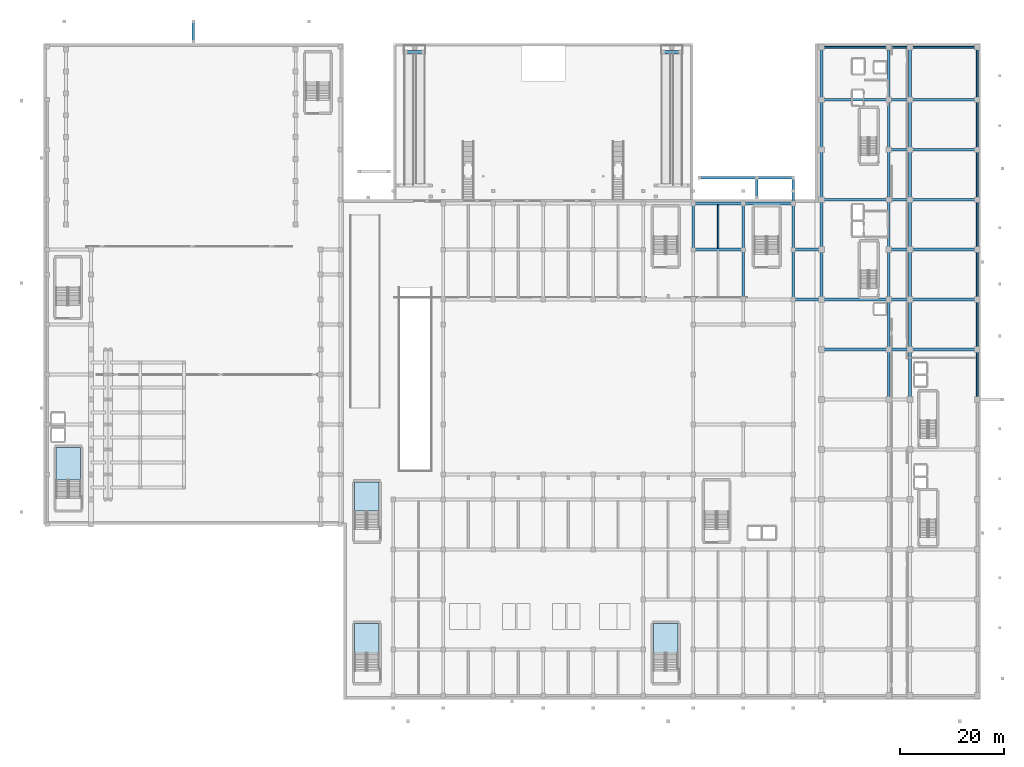
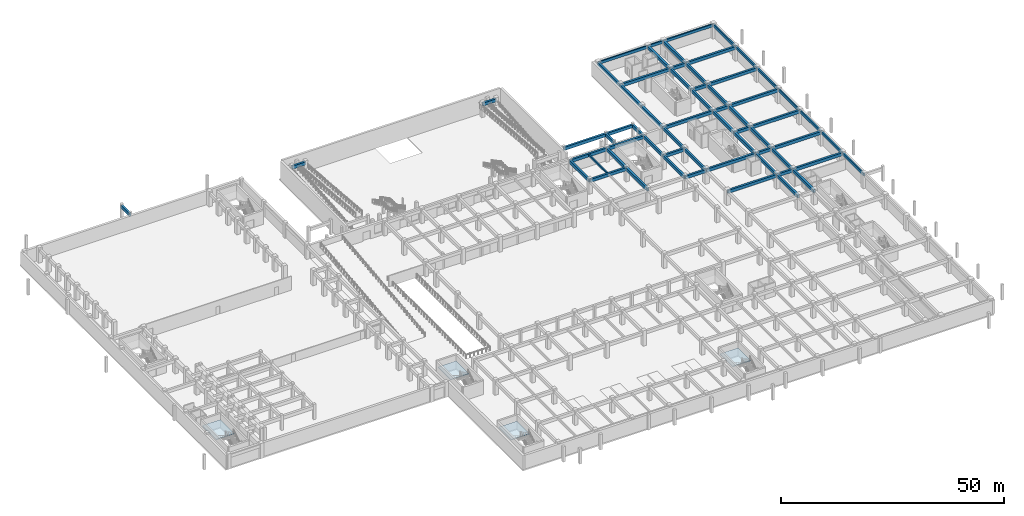
# One storey, part 8 of 39: 63 beams, 4 slabs, 4 elements without a shape of their own.
"""IFC4 building model written with IfcOpenShell, lengths in metres."""

from ifc_helpers import new_model, si_unit, direction, frame, origin, origin_2d, place, context, subcontext, project, spatial, polyline, rectangle, outline, extrude, material, layer, layer_set, material_profile, profile_set, type_object, element, aggregate, save


model = new_model("IFC4")

# Units and contexts
model_context = context("Model", 3, precision=1e-05, world=origin(), true_north=direction((0.0, 1.0)))
body_context = subcontext(model_context, "Body", "Model", "MODEL_VIEW")
ifc_project = project(units=[si_unit("LENGTHUNIT", "METRE"), si_unit("AREAUNIT", "SQUARE_METRE"), si_unit("VOLUMEUNIT", "CUBIC_METRE"), si_unit("PLANEANGLEUNIT", "RADIAN"), si_unit("MASSUNIT", "GRAM", prefix="KILO")], contexts=[model_context])

# Site, building, storey
site_placement = place(None, origin())
site = spatial("IfcSite", under=ifc_project, at=site_placement, CompositionType="ELEMENT")
building_placement = place(site_placement, origin())
building = spatial("IfcBuilding", under=site, at=building_placement, Name="Nakhvara Creek Congress Hotel", CompositionType="ELEMENT")
storey_placement = place(building_placement, frame((0.0, 0.0, -4.199951171875)))
storey = spatial("IfcBuildingStorey", under=building, at=storey_placement, Name="B1", CompositionType="ELEMENT", Elevation=-4.199951171875)

# Beams
ifc_material_1 = material(Name="Concrete C40/50", Category="concrete")
ifc_material_profile_1 = material_profile(ifc_material_1, rectangle(XDim=0.300048828125, YDim=0.5, at=origin_2d()), Name="RC-BM 300x500", Category="LoadBearing")
ifc_profile_set_1 = profile_set([ifc_material_profile_1], Name="Concrete C40/50")
beam_type_1 = type_object("IfcBeamType", Name="BM-JST-300X500", PredefinedType="JOIST", material=ifc_profile_set_1)
beam_1_placement = place(storey_placement, frame((129.60009765625, 86.659912109375, 3.530029296875), z_axis=(0.0, 1.0, 0.0), x_axis=(-1.0, 0.0, 0.0)))
element("IfcBeam", 1, at=beam_1_placement, inside=storey, type_object=beam_type_1, Name="Secondary Joist BJ1-B1-0717", PredefinedType="JOIST", context=body_context, shape_type="SweptSolid", body=[
    extrude(rectangle(XDim=0.300048828125, YDim=0.5, at=origin_2d()), origin(), (0.0, 0.0, 1.0), 8.330078125),
])
ifc_material_2 = material(Name="Concrete C50/60", Category="concrete")
ifc_material_profile_2 = material_profile(ifc_material_2, rectangle(XDim=0.52001953125, YDim=0.840087890625, at=origin_2d()), Name="RC-BM 520x840", Category="LoadBearing")
ifc_profile_set_2 = profile_set([ifc_material_profile_2], Name="Concrete C50/60")
beam_type_2 = type_object("IfcBeamType", Name="BM-RC-520X840", PredefinedType="BEAM", material=ifc_profile_set_2)
beam_2_placement = place(storey_placement, frame((124.800048828125, 86.39990234375, 3.35986328125), z_axis=(0.0, 1.0, 0.0), x_axis=(-1.0, 0.0, 0.0)))
element("IfcBeam", 2, at=beam_2_placement, inside=storey, type_object=beam_type_2, Name="Beam B14-B1-0553", PredefinedType="BEAM", context=body_context, shape_type="SweptSolid", body=[
    extrude(rectangle(XDim=0.52001953125, YDim=0.840087890625, at=origin_2d()), origin(), (0.0, 0.0, 1.0), 8.85009765625),
])
for number, where, z_axis, x_axis, name in (
    (3, (124.800048828125, 86.39990234375, 3.35986328125), (1.0, 0.0, 0.0), (0.0, 1.0, 0.0), "Beam B14-B1-0554"),
    (4, (124.800048828125, 95.25, 3.35986328125), (1.0, 0.0, 0.0), (0.0, 1.0, 0.0), "Beam B14-B1-0555"),
    (5, (134.39990234375, 76.800048828125, 3.35986328125), (0.0, 1.0, 0.0), (-1.0, 0.0, 0.0), "Beam B14-B1-0568"),
):
    element("IfcBeam", number, at=place(storey_placement, frame(where, z_axis=z_axis, x_axis=x_axis)), inside=storey, type_object=beam_type_2, Name=name, PredefinedType="BEAM", context=body_context, shape_type="SweptSolid", body=[
        extrude(rectangle(XDim=0.52001953125, YDim=0.840087890625, at=origin_2d()), origin(), (0.0, 0.0, 1.0), 9.599853515625),
    ])
beam_3_placement = place(storey_placement, frame((134.39990234375, 86.39990234375, 3.35986328125), z_axis=(0.0, 1.0, 0.0), x_axis=(-1.0, 0.0, 0.0)))
element("IfcBeam", 6, at=beam_3_placement, inside=storey, type_object=beam_type_2, Name="Beam B14-B1-0570", PredefinedType="BEAM", context=body_context, shape_type="SweptSolid", body=[
    extrude(rectangle(XDim=0.52001953125, YDim=0.840087890625, at=origin_2d()), origin(), (0.0, 0.0, 1.0), 8.85009765625),
])
beam_4_placement = place(storey_placement, frame((134.39990234375, 95.25, 3.35986328125), z_axis=(1.0, 0.0, 0.0), x_axis=(0.0, 1.0, 0.0)))
element("IfcBeam", 7, at=beam_4_placement, inside=storey, type_object=beam_type_2, Name="Beam B14-B1-0571", PredefinedType="BEAM", context=body_context, shape_type="SweptSolid", body=[
    extrude(rectangle(XDim=0.52001953125, YDim=0.840087890625, at=origin_2d()), origin(), (0.0, 0.0, 1.0), 9.60009765625),
])
beam_5_placement = place(storey_placement, frame((144.0, 76.800048828125, 3.35986328125), z_axis=(0.0, 1.0, 0.0), x_axis=(-1.0, 0.0, 0.0)))
element("IfcBeam", 8, at=beam_5_placement, inside=storey, type_object=beam_type_2, Name="Beam B14-B1-0586", PredefinedType="BEAM", context=body_context, shape_type="SweptSolid", body=[
    extrude(rectangle(XDim=0.52001953125, YDim=0.840087890625, at=origin_2d()), origin(), (0.0, 0.0, 1.0), 9.599853515625),
])
beam_6_placement = place(storey_placement, frame((144.0, 76.800048828125, 3.35986328125), z_axis=(1.0, 0.0, 0.0), x_axis=(0.0, 1.0, 0.0)))
element("IfcBeam", 9, at=beam_6_placement, inside=storey, type_object=beam_type_2, Name="Beam B14-B1-0587", PredefinedType="BEAM", context=body_context, shape_type="SweptSolid", body=[
    extrude(rectangle(XDim=0.52001953125, YDim=0.840087890625, at=origin_2d()), origin(), (0.0, 0.0, 1.0), 5.449951171875),
])
beam_7_placement = place(storey_placement, frame((144.0, 86.39990234375, 3.35986328125), z_axis=(0.0, 1.0, 0.0), x_axis=(-1.0, 0.0, 0.0)))
element("IfcBeam", 10, at=beam_7_placement, inside=storey, type_object=beam_type_2, Name="Beam B14-B1-0588", PredefinedType="BEAM", context=body_context, shape_type="SweptSolid", body=[
    extrude(rectangle(XDim=0.52001953125, YDim=0.840087890625, at=origin_2d()), origin(), (0.0, 0.0, 1.0), 8.85009765625),
])
beam_8_placement = place(storey_placement, frame((144.0, 86.39990234375, 3.35986328125), z_axis=(1.0, 0.0, 0.0), x_axis=(0.0, 1.0, 0.0)))
element("IfcBeam", 11, at=beam_8_placement, inside=storey, type_object=beam_type_2, Name="Beam B14-B1-0589", PredefinedType="BEAM", context=body_context, shape_type="SweptSolid", body=[
    extrude(rectangle(XDim=0.52001953125, YDim=0.840087890625, at=origin_2d()), origin(), (0.0, 0.0, 1.0), 5.449951171875),
])
beam_9_placement = place(storey_placement, frame((144.0, 95.25, 3.35986328125), z_axis=(0.0, 1.0, 0.0), x_axis=(-1.0, 0.0, 0.0)))
element("IfcBeam", 12, at=beam_9_placement, inside=storey, type_object=beam_type_2, Name="Beam B14-B1-0590", PredefinedType="BEAM", context=body_context, shape_type="SweptSolid", body=[
    extrude(rectangle(XDim=0.52001953125, YDim=0.840087890625, at=origin_2d()), origin(), (0.0, 0.0, 1.0), 4.949951171875),
])
beam_10_placement = place(storey_placement, frame((149.449951171875, 67.199951171875, 3.35986328125), z_axis=(1.0, 0.0, 0.0), x_axis=(0.0, 1.0, 0.0)))
element("IfcBeam", 13, at=beam_10_placement, inside=storey, type_object=beam_type_2, Name="Beam B14-B1-0606", PredefinedType="BEAM", context=body_context, shape_type="SweptSolid", body=[
    extrude(rectangle(XDim=0.52001953125, YDim=0.840087890625, at=origin_2d()), origin(), (0.0, 0.0, 1.0), 12.900146484375),
])
beam_11_placement = place(storey_placement, frame((149.449951171875, 76.800048828125, 3.35986328125), z_axis=(0.0, 1.0, 0.0), x_axis=(-1.0, 0.0, 0.0)))
element("IfcBeam", 14, at=beam_11_placement, inside=storey, type_object=beam_type_2, Name="Beam B14-B1-0607", PredefinedType="BEAM", context=body_context, shape_type="SweptSolid", body=[
    extrude(rectangle(XDim=0.52001953125, YDim=0.840087890625, at=origin_2d()), origin(), (0.0, 0.0, 1.0), 9.599853515625),
])
beam_12_placement = place(storey_placement, frame((149.449951171875, 76.800048828125, 3.35986328125), z_axis=(1.0, 0.0, 0.0), x_axis=(0.0, 1.0, 0.0)))
element("IfcBeam", 15, at=beam_12_placement, inside=storey, type_object=beam_type_2, Name="Beam B14-B1-0608", PredefinedType="BEAM", context=body_context, shape_type="SweptSolid", body=[
    extrude(rectangle(XDim=0.52001953125, YDim=0.840087890625, at=origin_2d()), origin(), (0.0, 0.0, 1.0), 12.900146484375),
])
for number, where, z_axis, x_axis, name in (
    (16, (149.449951171875, 86.39990234375, 3.35986328125), (0.0, 1.0, 0.0), (-1.0, 0.0, 0.0), "Beam B14-B1-0609"),
    (17, (149.449951171875, 96.0, 3.35986328125), (0.0, 1.0, 0.0), (-1.0, 0.0, 0.0), "Beam B14-B1-0610"),
):
    element("IfcBeam", number, at=place(storey_placement, frame(where, z_axis=z_axis, x_axis=x_axis)), inside=storey, type_object=beam_type_2, Name=name, PredefinedType="BEAM", context=body_context, shape_type="SweptSolid", body=[
        extrude(rectangle(XDim=0.52001953125, YDim=0.840087890625, at=origin_2d()), origin(), (0.0, 0.0, 1.0), 9.60009765625),
    ])
beam_13_placement = place(storey_placement, frame((149.449951171875, 96.0, 3.35986328125), z_axis=(1.0, 0.0, 0.0), x_axis=(0.0, 1.0, 0.0)))
element("IfcBeam", 18, at=beam_13_placement, inside=storey, type_object=beam_type_2, Name="Beam B14-B1-0611", PredefinedType="BEAM", context=body_context, shape_type="SweptSolid", body=[
    extrude(rectangle(XDim=0.52001953125, YDim=0.840087890625, at=origin_2d()), origin(), (0.0, 0.0, 1.0), 12.900146484375),
])
beam_14_placement = place(storey_placement, frame((149.449951171875, 105.60009765625, 3.35986328125), z_axis=(0.0, 1.0, 0.0), x_axis=(-1.0, 0.0, 0.0)))
element("IfcBeam", 19, at=beam_14_placement, inside=storey, type_object=beam_type_2, Name="Beam B14-B1-0612", PredefinedType="BEAM", context=body_context, shape_type="SweptSolid", body=[
    extrude(rectangle(XDim=0.52001953125, YDim=0.840087890625, at=origin_2d()), origin(), (0.0, 0.0, 1.0), 9.599853515625),
])
beam_15_placement = place(storey_placement, frame((149.449951171875, 115.199951171875, 3.35986328125), z_axis=(0.0, 1.0, 0.0), x_axis=(-1.0, 0.0, 0.0)))
element("IfcBeam", 20, at=beam_15_placement, inside=storey, type_object=beam_type_2, Name="Beam B14-B1-0613", PredefinedType="BEAM", context=body_context, shape_type="SweptSolid", body=[
    extrude(rectangle(XDim=0.52001953125, YDim=0.840087890625, at=origin_2d()), origin(), (0.0, 0.0, 1.0), 10.050048828125),
])
beam_16_placement = place(storey_placement, frame((149.449951171875, 115.199951171875, 3.35986328125), z_axis=(1.0, 0.0, 0.0), x_axis=(0.0, 1.0, 0.0)))
element("IfcBeam", 21, at=beam_16_placement, inside=storey, type_object=beam_type_2, Name="Beam B14-B1-0614", PredefinedType="BEAM", context=body_context, shape_type="SweptSolid", body=[
    extrude(rectangle(XDim=0.52001953125, YDim=0.840087890625, at=origin_2d()), origin(), (0.0, 0.0, 1.0), 12.900146484375),
])
beam_17_placement = place(storey_placement, frame((162.35009765625, 57.60009765625, 3.35986328125), z_axis=(0.0, 1.0, 0.0), x_axis=(-1.0, 0.0, 0.0)))
element("IfcBeam", 22, at=beam_17_placement, inside=storey, type_object=beam_type_2, Name="Beam B14-B1-0628", PredefinedType="BEAM", context=body_context, shape_type="SweptSolid", body=[
    extrude(rectangle(XDim=0.52001953125, YDim=0.840087890625, at=origin_2d()), origin(), (0.0, 0.0, 1.0), 9.599853515625),
])
beam_18_placement = place(storey_placement, frame((162.35009765625, 67.199951171875, 3.35986328125), z_axis=(0.0, 1.0, 0.0), x_axis=(-1.0, 0.0, 0.0)))
element("IfcBeam", 23, at=beam_18_placement, inside=storey, type_object=beam_type_2, Name="Beam B14-B1-0630", PredefinedType="BEAM", context=body_context, shape_type="SweptSolid", body=[
    extrude(rectangle(XDim=0.52001953125, YDim=0.840087890625, at=origin_2d()), origin(), (0.0, 0.0, 1.0), 9.60009765625),
])
beam_19_placement = place(storey_placement, frame((162.35009765625, 67.199951171875, 3.35986328125), z_axis=(1.0, 0.0, 0.0), x_axis=(0.0, 1.0, 0.0)))
element("IfcBeam", 24, at=beam_19_placement, inside=storey, type_object=beam_type_2, Name="Beam B14-B1-0631", PredefinedType="BEAM", context=body_context, shape_type="SweptSolid", body=[
    extrude(rectangle(XDim=0.52001953125, YDim=0.840087890625, at=origin_2d()), origin(), (0.0, 0.0, 1.0), 4.099853515625),
])
beam_20_placement = place(storey_placement, frame((162.35009765625, 76.800048828125, 3.35986328125), z_axis=(0.0, 1.0, 0.0), x_axis=(-1.0, 0.0, 0.0)))
element("IfcBeam", 25, at=beam_20_placement, inside=storey, type_object=beam_type_2, Name="Beam B14-B1-0632", PredefinedType="BEAM", context=body_context, shape_type="SweptSolid", body=[
    extrude(rectangle(XDim=0.52001953125, YDim=0.840087890625, at=origin_2d()), origin(), (0.0, 0.0, 1.0), 9.599853515625),
])
beam_21_placement = place(storey_placement, frame((162.35009765625, 76.800048828125, 3.35986328125), z_axis=(1.0, 0.0, 0.0), x_axis=(0.0, 1.0, 0.0)))
element("IfcBeam", 26, at=beam_21_placement, inside=storey, type_object=beam_type_2, Name="Beam B14-B1-0633", PredefinedType="BEAM", context=body_context, shape_type="SweptSolid", body=[
    extrude(rectangle(XDim=0.52001953125, YDim=0.840087890625, at=origin_2d()), origin(), (0.0, 0.0, 1.0), 4.099853515625),
])
beam_22_placement = place(storey_placement, frame((162.35009765625, 86.39990234375, 3.35986328125), z_axis=(0.0, 1.0, 0.0), x_axis=(-1.0, 0.0, 0.0)))
element("IfcBeam", 27, at=beam_22_placement, inside=storey, type_object=beam_type_2, Name="Beam B14-B1-0634", PredefinedType="BEAM", context=body_context, shape_type="SweptSolid", body=[
    extrude(rectangle(XDim=0.52001953125, YDim=0.840087890625, at=origin_2d()), origin(), (0.0, 0.0, 1.0), 9.60009765625),
])
beam_23_placement = place(storey_placement, frame((162.35009765625, 86.39990234375, 3.35986328125), z_axis=(1.0, 0.0, 0.0), x_axis=(0.0, 1.0, 0.0)))
element("IfcBeam", 28, at=beam_23_placement, inside=storey, type_object=beam_type_2, Name="Beam B14-B1-0635", PredefinedType="BEAM", context=body_context, shape_type="SweptSolid", body=[
    extrude(rectangle(XDim=0.52001953125, YDim=0.840087890625, at=origin_2d()), origin(), (0.0, 0.0, 1.0), 4.099853515625),
])
beam_24_placement = place(storey_placement, frame((162.35009765625, 96.0, 3.35986328125), z_axis=(0.0, 1.0, 0.0), x_axis=(-1.0, 0.0, 0.0)))
element("IfcBeam", 29, at=beam_24_placement, inside=storey, type_object=beam_type_2, Name="Beam B14-B1-0636", PredefinedType="BEAM", context=body_context, shape_type="SweptSolid", body=[
    extrude(rectangle(XDim=0.52001953125, YDim=0.840087890625, at=origin_2d()), origin(), (0.0, 0.0, 1.0), 9.60009765625),
])
beam_25_placement = place(storey_placement, frame((162.35009765625, 96.0, 3.35986328125), z_axis=(1.0, 0.0, 0.0), x_axis=(0.0, 1.0, 0.0)))
element("IfcBeam", 30, at=beam_25_placement, inside=storey, type_object=beam_type_2, Name="Beam B14-B1-0637", PredefinedType="BEAM", context=body_context, shape_type="SweptSolid", body=[
    extrude(rectangle(XDim=0.52001953125, YDim=0.840087890625, at=origin_2d()), origin(), (0.0, 0.0, 1.0), 4.099853515625),
])
beam_26_placement = place(storey_placement, frame((162.35009765625, 105.60009765625, 3.35986328125), z_axis=(0.0, 1.0, 0.0), x_axis=(-1.0, 0.0, 0.0)))
element("IfcBeam", 31, at=beam_26_placement, inside=storey, type_object=beam_type_2, Name="Beam B14-B1-0638", PredefinedType="BEAM", context=body_context, shape_type="SweptSolid", body=[
    extrude(rectangle(XDim=0.52001953125, YDim=0.840087890625, at=origin_2d()), origin(), (0.0, 0.0, 1.0), 9.599853515625),
])
beam_27_placement = place(storey_placement, frame((162.35009765625, 105.60009765625, 3.35986328125), z_axis=(1.0, 0.0, 0.0), x_axis=(0.0, 1.0, 0.0)))
element("IfcBeam", 32, at=beam_27_placement, inside=storey, type_object=beam_type_2, Name="Beam B14-B1-0639", PredefinedType="BEAM", context=body_context, shape_type="SweptSolid", body=[
    extrude(rectangle(XDim=0.52001953125, YDim=0.840087890625, at=origin_2d()), origin(), (0.0, 0.0, 1.0), 4.099853515625),
])
beam_28_placement = place(storey_placement, frame((162.35009765625, 115.199951171875, 3.35986328125), z_axis=(0.0, 1.0, 0.0), x_axis=(-1.0, 0.0, 0.0)))
element("IfcBeam", 33, at=beam_28_placement, inside=storey, type_object=beam_type_2, Name="Beam B14-B1-0640", PredefinedType="BEAM", context=body_context, shape_type="SweptSolid", body=[
    extrude(rectangle(XDim=0.52001953125, YDim=0.840087890625, at=origin_2d()), origin(), (0.0, 0.0, 1.0), 10.050048828125),
])
beam_29_placement = place(storey_placement, frame((162.35009765625, 115.199951171875, 3.35986328125), z_axis=(1.0, 0.0, 0.0), x_axis=(0.0, 1.0, 0.0)))
element("IfcBeam", 34, at=beam_29_placement, inside=storey, type_object=beam_type_2, Name="Beam B14-B1-0641", PredefinedType="BEAM", context=body_context, shape_type="SweptSolid", body=[
    extrude(rectangle(XDim=0.52001953125, YDim=0.840087890625, at=origin_2d()), origin(), (0.0, 0.0, 1.0), 4.099853515625),
])
beam_30_placement = place(storey_placement, frame((166.449951171875, 57.60009765625, 3.35986328125), z_axis=(0.0, 1.0, 0.0), x_axis=(-1.0, 0.0, 0.0)))
element("IfcBeam", 35, at=beam_30_placement, inside=storey, type_object=beam_type_2, Name="Beam B14-B1-0654", PredefinedType="BEAM", context=body_context, shape_type="SweptSolid", body=[
    extrude(rectangle(XDim=0.52001953125, YDim=0.840087890625, at=origin_2d()), origin(), (0.0, 0.0, 1.0), 9.599853515625),
])
beam_31_placement = place(storey_placement, frame((166.449951171875, 67.199951171875, 3.35986328125), z_axis=(0.0, 1.0, 0.0), x_axis=(-1.0, 0.0, 0.0)))
element("IfcBeam", 36, at=beam_31_placement, inside=storey, type_object=beam_type_2, Name="Beam B14-B1-0655", PredefinedType="BEAM", context=body_context, shape_type="SweptSolid", body=[
    extrude(rectangle(XDim=0.52001953125, YDim=0.840087890625, at=origin_2d()), origin(), (0.0, 0.0, 1.0), 9.60009765625),
])
beam_32_placement = place(storey_placement, frame((166.449951171875, 67.199951171875, 3.35986328125), z_axis=(1.0, 0.0, 0.0), x_axis=(0.0, 1.0, 0.0)))
element("IfcBeam", 37, at=beam_32_placement, inside=storey, type_object=beam_type_2, Name="Beam B14-B1-0656", PredefinedType="BEAM", context=body_context, shape_type="SweptSolid", body=[
    extrude(rectangle(XDim=0.52001953125, YDim=0.840087890625, at=origin_2d()), origin(), (0.0, 0.0, 1.0), 12.900146484375),
])
beam_33_placement = place(storey_placement, frame((166.449951171875, 76.800048828125, 3.35986328125), z_axis=(0.0, 1.0, 0.0), x_axis=(-1.0, 0.0, 0.0)))
element("IfcBeam", 38, at=beam_33_placement, inside=storey, type_object=beam_type_2, Name="Beam B14-B1-0657", PredefinedType="BEAM", context=body_context, shape_type="SweptSolid", body=[
    extrude(rectangle(XDim=0.52001953125, YDim=0.840087890625, at=origin_2d()), origin(), (0.0, 0.0, 1.0), 9.599853515625),
])
beam_34_placement = place(storey_placement, frame((166.449951171875, 76.800048828125, 3.35986328125), z_axis=(1.0, 0.0, 0.0), x_axis=(0.0, 1.0, 0.0)))
element("IfcBeam", 39, at=beam_34_placement, inside=storey, type_object=beam_type_2, Name="Beam B14-B1-0658", PredefinedType="BEAM", context=body_context, shape_type="SweptSolid", body=[
    extrude(rectangle(XDim=0.52001953125, YDim=0.840087890625, at=origin_2d()), origin(), (0.0, 0.0, 1.0), 12.900146484375),
])
beam_35_placement = place(storey_placement, frame((166.449951171875, 86.39990234375, 3.35986328125), z_axis=(0.0, 1.0, 0.0), x_axis=(-1.0, 0.0, 0.0)))
element("IfcBeam", 40, at=beam_35_placement, inside=storey, type_object=beam_type_2, Name="Beam B14-B1-0659", PredefinedType="BEAM", context=body_context, shape_type="SweptSolid", body=[
    extrude(rectangle(XDim=0.52001953125, YDim=0.840087890625, at=origin_2d()), origin(), (0.0, 0.0, 1.0), 9.60009765625),
])
beam_36_placement = place(storey_placement, frame((166.449951171875, 86.39990234375, 3.35986328125), z_axis=(1.0, 0.0, 0.0), x_axis=(0.0, 1.0, 0.0)))
element("IfcBeam", 41, at=beam_36_placement, inside=storey, type_object=beam_type_2, Name="Beam B14-B1-0660", PredefinedType="BEAM", context=body_context, shape_type="SweptSolid", body=[
    extrude(rectangle(XDim=0.52001953125, YDim=0.840087890625, at=origin_2d()), origin(), (0.0, 0.0, 1.0), 12.900146484375),
])
beam_37_placement = place(storey_placement, frame((166.449951171875, 96.0, 3.35986328125), z_axis=(0.0, 1.0, 0.0), x_axis=(-1.0, 0.0, 0.0)))
element("IfcBeam", 42, at=beam_37_placement, inside=storey, type_object=beam_type_2, Name="Beam B14-B1-0661", PredefinedType="BEAM", context=body_context, shape_type="SweptSolid", body=[
    extrude(rectangle(XDim=0.52001953125, YDim=0.840087890625, at=origin_2d()), origin(), (0.0, 0.0, 1.0), 9.60009765625),
])
beam_38_placement = place(storey_placement, frame((166.449951171875, 96.0, 3.35986328125), z_axis=(1.0, 0.0, 0.0), x_axis=(0.0, 1.0, 0.0)))
element("IfcBeam", 43, at=beam_38_placement, inside=storey, type_object=beam_type_2, Name="Beam B14-B1-0662", PredefinedType="BEAM", context=body_context, shape_type="SweptSolid", body=[
    extrude(rectangle(XDim=0.52001953125, YDim=0.840087890625, at=origin_2d()), origin(), (0.0, 0.0, 1.0), 12.900146484375),
])
beam_39_placement = place(storey_placement, frame((166.449951171875, 105.60009765625, 3.35986328125), z_axis=(0.0, 1.0, 0.0), x_axis=(-1.0, 0.0, 0.0)))
element("IfcBeam", 44, at=beam_39_placement, inside=storey, type_object=beam_type_2, Name="Beam B14-B1-0663", PredefinedType="BEAM", context=body_context, shape_type="SweptSolid", body=[
    extrude(rectangle(XDim=0.52001953125, YDim=0.840087890625, at=origin_2d()), origin(), (0.0, 0.0, 1.0), 9.599853515625),
])
beam_40_placement = place(storey_placement, frame((166.449951171875, 105.60009765625, 3.35986328125), z_axis=(1.0, 0.0, 0.0), x_axis=(0.0, 1.0, 0.0)))
element("IfcBeam", 45, at=beam_40_placement, inside=storey, type_object=beam_type_2, Name="Beam B14-B1-0664", PredefinedType="BEAM", context=body_context, shape_type="SweptSolid", body=[
    extrude(rectangle(XDim=0.52001953125, YDim=0.840087890625, at=origin_2d()), origin(), (0.0, 0.0, 1.0), 12.900146484375),
])
beam_41_placement = place(storey_placement, frame((166.449951171875, 115.199951171875, 3.35986328125), z_axis=(0.0, 1.0, 0.0), x_axis=(-1.0, 0.0, 0.0)))
element("IfcBeam", 46, at=beam_41_placement, inside=storey, type_object=beam_type_2, Name="Beam B14-B1-0665", PredefinedType="BEAM", context=body_context, shape_type="SweptSolid", body=[
    extrude(rectangle(XDim=0.52001953125, YDim=0.840087890625, at=origin_2d()), origin(), (0.0, 0.0, 1.0), 10.050048828125),
])
beam_42_placement = place(storey_placement, frame((166.449951171875, 115.199951171875, 3.35986328125), z_axis=(1.0, 0.0, 0.0), x_axis=(0.0, 1.0, 0.0)))
element("IfcBeam", 47, at=beam_42_placement, inside=storey, type_object=beam_type_2, Name="Beam B14-B1-0666", PredefinedType="BEAM", context=body_context, shape_type="SweptSolid", body=[
    extrude(rectangle(XDim=0.52001953125, YDim=0.840087890625, at=origin_2d()), origin(), (0.0, 0.0, 1.0), 12.900146484375),
])
for number, where, z_axis, x_axis, name in (
    (48, (69.550048828125, 124.35009765625, 3.35986328125), (1.0, 0.0, 0.0), (0.0, 1.0, 0.0), "Beam B14-B1-0684"),
    (49, (118.949951171875, 124.35009765625, 3.35986328125), (1.0, 0.0, 0.0), (0.0, 1.0, 0.0), "Beam B14-B1-0685"),
):
    element("IfcBeam", number, at=place(storey_placement, frame(where, z_axis=z_axis, x_axis=x_axis)), inside=storey, type_object=beam_type_2, Name=name, PredefinedType="BEAM", context=body_context, shape_type="SweptSolid", body=[
        extrude(rectangle(XDim=0.52001953125, YDim=0.840087890625, at=origin_2d()), origin(), (0.0, 0.0, 1.0), 3.5),
    ])
beam_43_placement = place(storey_placement, frame((28.800048828125, 126.39990234375, 3.35986328125), z_axis=(0.0, 1.0, 0.0), x_axis=(-1.0, 0.0, 0.0)))
element("IfcBeam", 50, at=beam_43_placement, inside=storey, type_object=beam_type_2, Name="Beam B14-B1-0686", PredefinedType="BEAM", context=body_context, shape_type="SweptSolid", body=[
    extrude(rectangle(XDim=0.52001953125, YDim=0.840087890625, at=origin_2d()), origin(), (0.0, 0.0, 1.0), 3.800048828125),
])
beam_44_placement = place(storey_placement, frame((126.0, 100.199951171875, 3.35986328125), z_axis=(1.0, 0.0, 0.0), x_axis=(0.0, 1.0, 0.0)))
element("IfcBeam", 51, at=beam_44_placement, inside=storey, type_object=beam_type_2, Name="Beam B14-B1-0688", PredefinedType="BEAM", context=body_context, shape_type="SweptSolid", body=[
    extrude(rectangle(XDim=0.52001953125, YDim=0.840087890625, at=origin_2d()), origin(), (0.0, 0.0, 1.0), 11.0),
])
beam_45_placement = place(storey_placement, frame((137.0, 100.199951171875, 3.35986328125), z_axis=(1.0, 0.0, 0.0), x_axis=(0.0, 1.0, 0.0)))
element("IfcBeam", 52, at=beam_45_placement, inside=storey, type_object=beam_type_2, Name="Beam B14-B1-0689", PredefinedType="BEAM", context=body_context, shape_type="SweptSolid", body=[
    extrude(rectangle(XDim=0.52001953125, YDim=0.840087890625, at=origin_2d()), origin(), (0.0, 0.0, 1.0), 7.0),
])
beam_46_placement = place(storey_placement, frame((137.0, 96.39990234375, 3.35986328125), z_axis=(0.0, 1.0, 0.0), x_axis=(-1.0, 0.0, 0.0)))
element("IfcBeam", 53, at=beam_46_placement, inside=storey, type_object=beam_type_2, Name="Beam B14-B1-0690", PredefinedType="BEAM", context=body_context, shape_type="SweptSolid", body=[
    extrude(rectangle(XDim=0.52001953125, YDim=0.840087890625, at=origin_2d()), origin(), (0.0, 0.0, 1.0), 3.800048828125),
])
ifc_material_profile_3 = material_profile(ifc_material_1, rectangle(XDim=0.35009765625, YDim=0.75, at=origin_2d()), Name="RC-SPANDREL 350x750", Category="LoadBearing")
ifc_profile_set_3 = profile_set([ifc_material_profile_3], Name="Concrete C40/50")
beam_type_3 = type_object("IfcBeamType", Name="BM-SPN-350X750", PredefinedType="SPANDREL", material=ifc_profile_set_3)
beam_47_placement = place(storey_placement, frame((149.449951171875, 125.25, 3.405029296875), z_axis=(1.0, 0.0, 0.0), x_axis=(0.0, 1.0, 0.0)))
element("IfcBeam", 54, at=beam_47_placement, inside=storey, type_object=beam_type_3, Name="Beam SP1-B1-0615", PredefinedType="SPANDREL", context=body_context, shape_type="SweptSolid", body=[
    extrude(rectangle(XDim=0.35009765625, YDim=0.75, at=origin_2d()), origin(), (0.0, 0.0, 1.0), 12.900146484375),
])
beam_48_placement = place(storey_placement, frame((162.35009765625, 125.25, 3.405029296875), z_axis=(1.0, 0.0, 0.0), x_axis=(0.0, 1.0, 0.0)))
element("IfcBeam", 55, at=beam_48_placement, inside=storey, type_object=beam_type_3, Name="Beam SP1-B1-0642", PredefinedType="SPANDREL", context=body_context, shape_type="SweptSolid", body=[
    extrude(rectangle(XDim=0.35009765625, YDim=0.75, at=origin_2d()), origin(), (0.0, 0.0, 1.0), 4.099853515625),
])
beam_49_placement = place(storey_placement, frame((166.449951171875, 125.25, 3.405029296875), z_axis=(1.0, 0.0, 0.0), x_axis=(0.0, 1.0, 0.0)))
element("IfcBeam", 56, at=beam_49_placement, inside=storey, type_object=beam_type_3, Name="Beam SP1-B1-0667", PredefinedType="SPANDREL", context=body_context, shape_type="SweptSolid", body=[
    extrude(rectangle(XDim=0.35009765625, YDim=0.75, at=origin_2d()), origin(), (0.0, 0.0, 1.0), 12.900146484375),
])
beam_50_placement = place(storey_placement, frame((179.35009765625, 57.60009765625, 3.405029296875), z_axis=(0.0, 1.0, 0.0), x_axis=(-1.0, 0.0, 0.0)))
element("IfcBeam", 57, at=beam_50_placement, inside=storey, type_object=beam_type_3, Name="Beam SP1-B1-0674", PredefinedType="SPANDREL", context=body_context, shape_type="SweptSolid", body=[
    extrude(rectangle(XDim=0.35009765625, YDim=0.75, at=origin_2d()), origin(), (0.0, 0.0, 1.0), 9.599853515625),
])
beam_51_placement = place(storey_placement, frame((179.35009765625, 67.199951171875, 3.405029296875), z_axis=(0.0, 1.0, 0.0), x_axis=(-1.0, 0.0, 0.0)))
element("IfcBeam", 58, at=beam_51_placement, inside=storey, type_object=beam_type_3, Name="Beam SP1-B1-0676", PredefinedType="SPANDREL", context=body_context, shape_type="SweptSolid", body=[
    extrude(rectangle(XDim=0.35009765625, YDim=0.75, at=origin_2d()), origin(), (0.0, 0.0, 1.0), 9.60009765625),
])
beam_52_placement = place(storey_placement, frame((179.35009765625, 76.800048828125, 3.405029296875), z_axis=(0.0, 1.0, 0.0), x_axis=(-1.0, 0.0, 0.0)))
element("IfcBeam", 59, at=beam_52_placement, inside=storey, type_object=beam_type_3, Name="Beam SP1-B1-0677", PredefinedType="SPANDREL", context=body_context, shape_type="SweptSolid", body=[
    extrude(rectangle(XDim=0.35009765625, YDim=0.75, at=origin_2d()), origin(), (0.0, 0.0, 1.0), 9.599853515625),
])
for number, where, z_axis, x_axis, name in (
    (60, (179.35009765625, 86.39990234375, 3.405029296875), (0.0, 1.0, 0.0), (-1.0, 0.0, 0.0), "Beam SP1-B1-0678"),
    (61, (179.35009765625, 96.0, 3.405029296875), (0.0, 1.0, 0.0), (-1.0, 0.0, 0.0), "Beam SP1-B1-0679"),
):
    element("IfcBeam", number, at=place(storey_placement, frame(where, z_axis=z_axis, x_axis=x_axis)), inside=storey, type_object=beam_type_3, Name=name, PredefinedType="SPANDREL", context=body_context, shape_type="SweptSolid", body=[
        extrude(rectangle(XDim=0.35009765625, YDim=0.75, at=origin_2d()), origin(), (0.0, 0.0, 1.0), 9.60009765625),
    ])
beam_53_placement = place(storey_placement, frame((179.35009765625, 105.60009765625, 3.405029296875), z_axis=(0.0, 1.0, 0.0), x_axis=(-1.0, 0.0, 0.0)))
element("IfcBeam", 62, at=beam_53_placement, inside=storey, type_object=beam_type_3, Name="Beam SP1-B1-0680", PredefinedType="SPANDREL", context=body_context, shape_type="SweptSolid", body=[
    extrude(rectangle(XDim=0.35009765625, YDim=0.75, at=origin_2d()), origin(), (0.0, 0.0, 1.0), 9.599853515625),
])
beam_54_placement = place(storey_placement, frame((179.35009765625, 115.199951171875, 3.405029296875), z_axis=(0.0, 1.0, 0.0), x_axis=(-1.0, 0.0, 0.0)))
element("IfcBeam", 63, at=beam_54_placement, inside=storey, type_object=beam_type_3, Name="Beam SP1-B1-0681", PredefinedType="SPANDREL", context=body_context, shape_type="SweptSolid", body=[
    extrude(rectangle(XDim=0.35009765625, YDim=0.75, at=origin_2d()), origin(), (0.0, 0.0, 1.0), 10.050048828125),
])

# Stair, slab
stair_type = type_object("IfcStairType", Name="ST-CORE-230", PredefinedType="HALF_TURN_STAIR", material=ifc_material_1)
stair_1_placement = place(storey_placement, origin())
stair_1 = element("IfcStair", 64, at=stair_1_placement, inside=storey, type_object=stair_type, Name="B1 Protected Exit Stair ST05", PredefinedType="HALF_TURN_STAIR")
ifc_layer = layer(ifc_material_1, 0.199951171875)
ifc_layer_set = layer_set([ifc_layer], Name="Concrete C40/50")
slab_type = type_object("IfcSlabType", Name="SL-LAND-200", PredefinedType="LANDING", material=ifc_layer_set)
slab_1_placement = place(storey_placement, frame((0.0, 0.0, 1.89990234375)))
slab_1 = element("IfcSlab", 65, at=slab_1_placement, type_object=slab_type, Name="ST05 landing 1", PredefinedType="LANDING", context=body_context, shape_type="SweptSolid", body=[
    extrude(outline(polyline([(7.159912109375, 42.14501953125), (7.159912109375, 48.39990234375), (2.449951171875, 48.39990234375), (2.449951171875, 42.14501953125), (7.159912109375, 42.14501953125)])), origin(), (0.0, 0.0, 1.0), 0.199951171875),
])
aggregate(stair_1, [slab_1])

stair_2_placement = place(storey_placement, origin())
stair_2 = element("IfcStair", 66, at=stair_2_placement, inside=storey, type_object=stair_type, Name="B1 Protected Exit Stair ST11", PredefinedType="HALF_TURN_STAIR")
slab_2_placement = place(storey_placement, frame((0.0, 0.0, 1.89990234375)))
slab_2 = element("IfcSlab", 67, at=slab_2_placement, type_object=slab_type, Name="ST11 landing 1", PredefinedType="LANDING", context=body_context, shape_type="SweptSolid", body=[
    extrude(outline(polyline([(64.47998046875, 8.945068359375), (64.47998046875, 14.60009765625), (59.77001953125, 14.60009765625), (59.77001953125, 8.945068359375), (64.47998046875, 8.945068359375)])), origin(), (0.0, 0.0, 1.0), 0.199951171875),
])
aggregate(stair_2, [slab_2])

stair_3_placement = place(storey_placement, origin())
stair_3 = element("IfcStair", 68, at=stair_3_placement, inside=storey, type_object=stair_type, Name="B1 Protected Exit Stair ST12", PredefinedType="HALF_TURN_STAIR")
slab_3_placement = place(storey_placement, frame((0.0, 0.0, 1.89990234375)))
slab_3 = element("IfcSlab", 69, at=slab_3_placement, type_object=slab_type, Name="ST12 landing 1", PredefinedType="LANDING", context=body_context, shape_type="SweptSolid", body=[
    extrude(outline(polyline([(121.8798828125, 8.945068359375), (121.8798828125, 14.60009765625), (117.169921875, 14.60009765625), (117.169921875, 8.945068359375), (121.8798828125, 8.945068359375)])), origin(), (0.0, 0.0, 1.0), 0.199951171875),
])
aggregate(stair_3, [slab_3])

stair_4_placement = place(storey_placement, origin())
stair_4 = element("IfcStair", 70, at=stair_4_placement, inside=storey, type_object=stair_type, Name="B1 Protected Exit Stair ST13", PredefinedType="HALF_TURN_STAIR")
slab_4_placement = place(storey_placement, frame((0.0, 0.0, 1.89990234375)))
slab_4 = element("IfcSlab", 71, at=slab_4_placement, type_object=slab_type, Name="ST13 landing 1", PredefinedType="LANDING", context=body_context, shape_type="SweptSolid", body=[
    extrude(outline(polyline([(64.47998046875, 36.14501953125), (64.47998046875, 41.800048828125), (59.77001953125, 41.800048828125), (59.77001953125, 36.14501953125), (64.47998046875, 36.14501953125)])), origin(), (0.0, 0.0, 1.0), 0.199951171875),
])
aggregate(stair_4, [slab_4])

save(model, "model.ifc")
